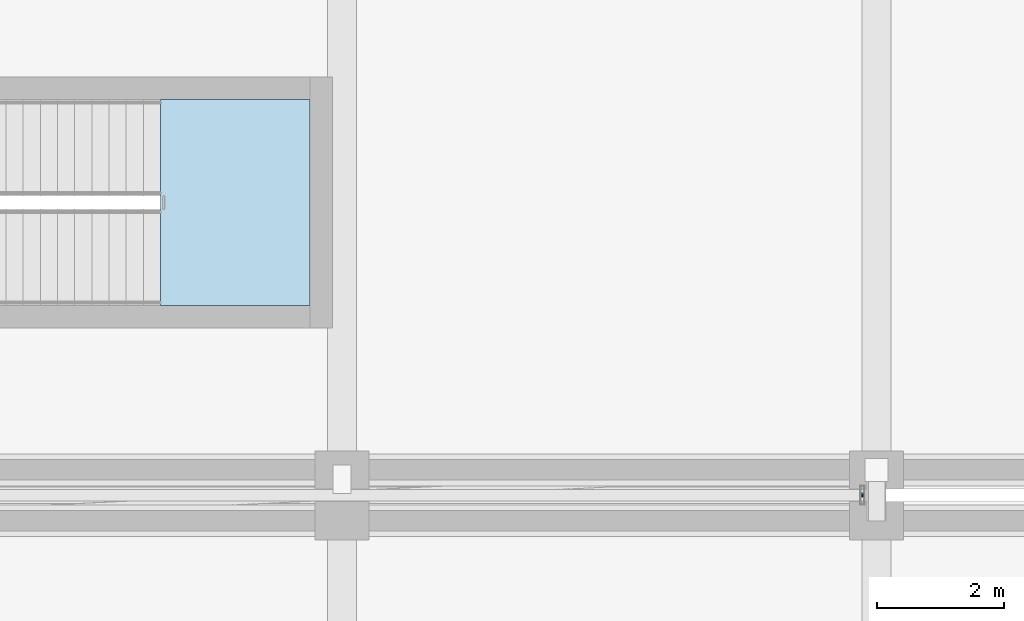
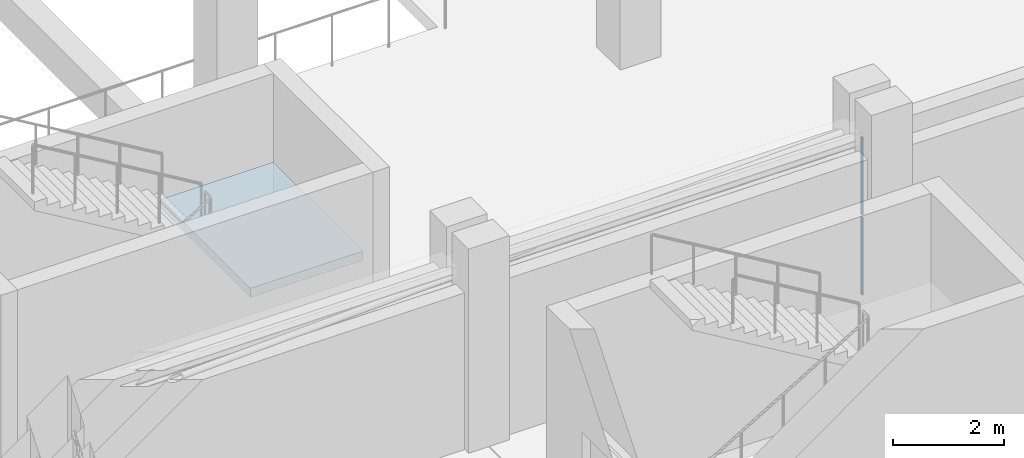
# One storey, part 99 of 137: 2 plates, 1 slab, 2 elements without a shape of their own.
"""IFC4 building model written with IfcOpenShell, lengths in metres."""

from ifc_helpers import new_model, si_unit, direction, frame, origin, origin_2d, place, context, subcontext, project, spatial, polyline, rectangle, outline, extrude, material, layer, layer_set, type_object, element, aggregate, save


model = new_model("IFC4")

# Units and contexts
model_context = context("Model", 3, precision=1e-05, world=origin(), true_north=direction((0.0, 1.0)))
body_context = subcontext(model_context, "Body", "Model", "MODEL_VIEW")
ifc_project = project(units=[si_unit("LENGTHUNIT", "METRE"), si_unit("AREAUNIT", "SQUARE_METRE"), si_unit("VOLUMEUNIT", "CUBIC_METRE"), si_unit("PLANEANGLEUNIT", "RADIAN"), si_unit("MASSUNIT", "GRAM", prefix="KILO")], contexts=[model_context])

# Site, building, storey
site_placement = place(None, origin())
site = spatial("IfcSite", under=ifc_project, at=site_placement, CompositionType="ELEMENT")
building_placement = place(site_placement, origin())
building = spatial("IfcBuilding", under=site, at=building_placement, Name="Xazarin Passage Department Store", CompositionType="ELEMENT")
storey_placement = place(building_placement, frame((0.0, 0.0, 5.39990234375)))
storey = spatial("IfcBuildingStorey", under=building, at=storey_placement, Name="L01", CompositionType="ELEMENT", Elevation=5.39990234375)

# Curtain wall, plates
ifc_material_1 = material(Name="Bronze anodised aluminium", Category="aluminium")
ifc_layer_1 = layer(ifc_material_1, 0.14990234375)
ifc_layer_set_1 = layer_set([ifc_layer_1], Name="Bronze anodised aluminium")
curtain_wall_type = type_object("IfcCurtainWallType", Name="ARC-CW-BRG1", PredefinedType="NOTDEFINED", material=ifc_layer_set_1)
curtain_wall_placement = place(storey_placement, origin())
curtain_wall = element("IfcCurtainWall", 1, at=curtain_wall_placement, inside=storey, type_object=curtain_wall_type, Name="L01 BR-V2S-V2N Bridge Curtain Wall 2", PredefinedType="NOTDEFINED")
ifc_material_2 = material(Name="Low-E laminated safety glass", Category="glass")
ifc_layer_2 = layer(ifc_material_2, 0.028076171875)
ifc_layer_set_2 = layer_set([ifc_layer_2], Name="Low-E laminated safety glass")
plate_type = type_object("IfcPlateType", Name="ARC-CWP-GLZ28", PredefinedType="CURTAIN_PANEL", material=ifc_layer_set_2)
plate_1_placement = place(storey_placement, frame((92.97998046875, 50.800048828125, 0.06494140625), z_axis=(0.0, 0.0, 1.0), x_axis=(0.0, 1.0, 0.0)))
plate_1 = element("IfcPlate", 2, at=plate_1_placement, type_object=plate_type, Name="CW7 panel 1.1", PredefinedType="CURTAIN_PANEL", context=body_context, shape_type="SweptSolid", body=[
    extrude(rectangle(XDim=0.050048828125, YDim=0.028076171875, at=origin_2d()), origin(), (0.0, 0.0, 1.0), 1.702392578125),
])
plate_2_placement = place(storey_placement, frame((92.97998046875, 50.800048828125, 1.83251953125), z_axis=(0.0, 0.0, 1.0), x_axis=(0.0, 1.0, 0.0)))
plate_2 = element("IfcPlate", 3, at=plate_2_placement, type_object=plate_type, Name="CW7 panel 1.2", PredefinedType="CURTAIN_PANEL", context=body_context, shape_type="SweptSolid", body=[
    extrude(rectangle(XDim=0.050048828125, YDim=0.028076171875, at=origin_2d()), origin(), (0.0, 0.0, 1.0), 1.702392578125),
])
aggregate(curtain_wall, [plate_1, plate_2])

# Stair, slab
ifc_material_3 = material(Name="Concrete C35/45", Category="concrete")
stair_type = type_object("IfcStairType", Name="ARC-ST-TYP", PredefinedType="HALF_TURN_STAIR", material=ifc_material_3)
stair_placement = place(storey_placement, origin())
stair = element("IfcStair", 4, at=stair_placement, inside=storey, type_object=stair_type, Name="L01 Exit Stair ST6", PredefinedType="HALF_TURN_STAIR")
ifc_layer_3 = layer(ifc_material_3, 0.199951171875)
ifc_layer_set_3 = layer_set([ifc_layer_3], Name="Concrete C35/45")
slab_type = type_object("IfcSlabType", Name="STR-SLB-LND200", PredefinedType="LANDING", material=ifc_layer_set_3)
slab_placement = place(storey_placement, frame((0.0, 0.0, 2.050048828125)))
slab = element("IfcSlab", 5, at=slab_placement, type_object=slab_type, Name="ST6 landing 1", PredefinedType="LANDING", context=body_context, shape_type="SweptSolid", body=[
    extrude(outline(polyline([(81.949951171875, 53.780029296875), (84.300048828125, 53.780029296875), (84.300048828125, 57.02001953125), (81.949951171875, 57.02001953125), (81.949951171875, 53.780029296875)])), origin(), (0.0, 0.0, 1.0), 0.199951171875),
])
aggregate(stair, [slab])

save(model, "model.ifc")
